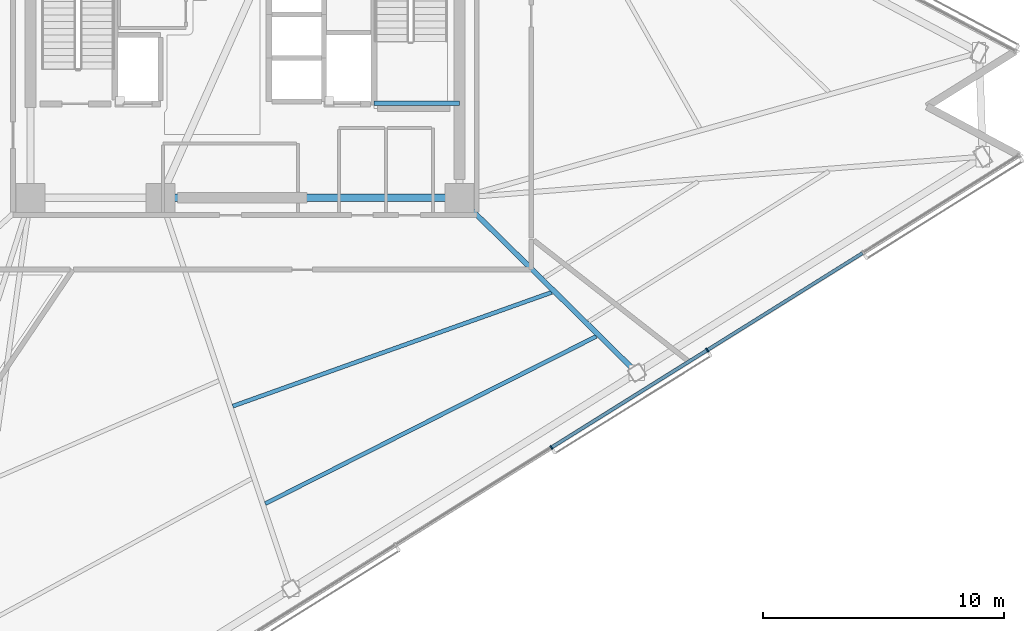
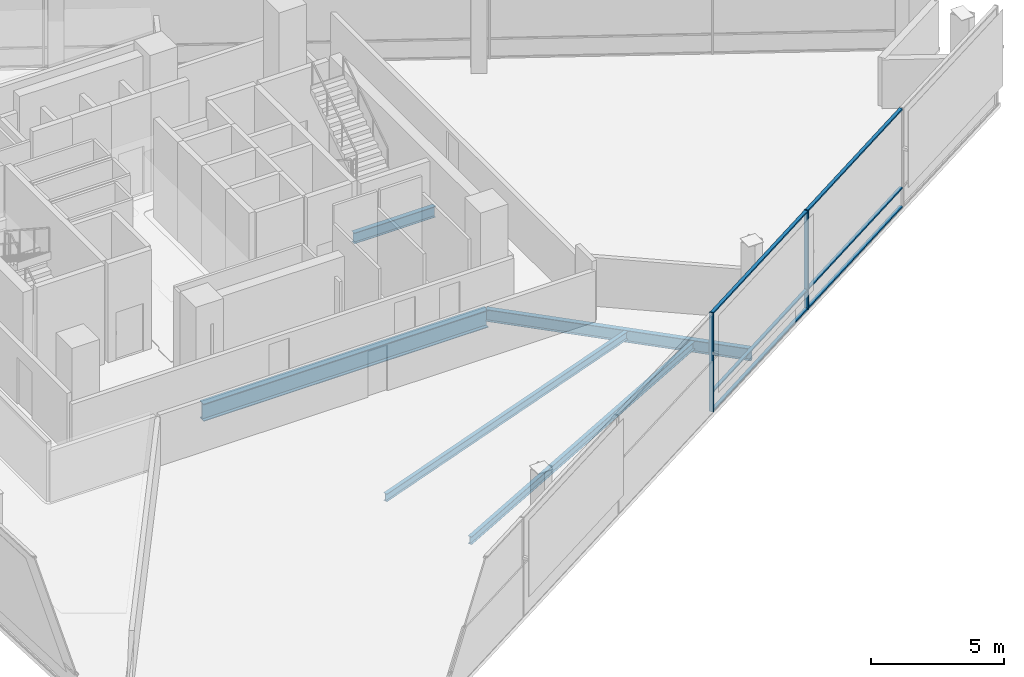
# One storey, part 5 of 19: 8 members, 5 beams, 1 element without a shape of its own.
"""IFC4 building model written with IfcOpenShell, lengths in metres."""

from ifc_helpers import new_model, si_unit, direction, frame, origin, origin_2d, place, context, subcontext, project, spatial, rectangle, i_section, extrude, material, layer, layer_set, material_profile, profile_set, type_object, element, aggregate, save


model = new_model("IFC4")

# Units and contexts
model_context = context("Model", 3, precision=1e-05, world=origin(), true_north=direction((0.0, 1.0)))
body_context = subcontext(model_context, "Body", "Model", "MODEL_VIEW")
ifc_project = project(units=[si_unit("LENGTHUNIT", "METRE"), si_unit("AREAUNIT", "SQUARE_METRE"), si_unit("VOLUMEUNIT", "CUBIC_METRE"), si_unit("PLANEANGLEUNIT", "RADIAN"), si_unit("MASSUNIT", "GRAM", prefix="KILO")], contexts=[model_context])

# Site, building, storey
site_placement = place(None, origin())
site = spatial("IfcSite", under=ifc_project, at=site_placement, CompositionType="ELEMENT")
building_placement = place(site_placement, origin())
building = spatial("IfcBuilding", under=site, at=building_placement, Name="Tharavind Bronze Gate", CompositionType="ELEMENT")
storey_placement = place(building_placement, frame((0.0, 0.0, 160.39990234375)))
storey = spatial("IfcBuildingStorey", under=building, at=storey_placement, Name="L41", CompositionType="ELEMENT", Elevation=160.39990234375)

# Curtain wall, members
ifc_material_1 = material(Name="Anodised Bronze Aluminium", Category="aluminium")
ifc_layer = layer(ifc_material_1, 0.219970703125)
ifc_layer_set = layer_set([ifc_layer], Name="Anodised Bronze Aluminium")
curtain_wall_type = type_object("IfcCurtainWallType", Name="UNITISED CURTAIN WALL MID OFFICE", PredefinedType="USERDEFINED", material=ifc_layer_set)
curtain_wall_placement = place(storey_placement, origin())
curtain_wall = element("IfcCurtainWall", 1, at=curtain_wall_placement, inside=storey, type_object=curtain_wall_type, Name="L41 unitised curtain wall mid office CW-L41-S2", ObjectType="UNITISED CURTAIN WALL", PredefinedType="USERDEFINED")
member_type_1 = type_object("IfcMemberType", Name="CURTAIN WALL BRONZE MULLION 65X180", PredefinedType="MULLION", material=ifc_material_1)
member_1_placement = place(storey_placement, frame((12.71826171875, -17.960205078125, 0.0), z_axis=(0.0, 0.0, 1.0), x_axis=(0.848048096156, 0.529919264233, 0.0)))
member_1 = element("IfcMember", 2, at=member_1_placement, type_object=member_type_1, Name="CW-L41-S2 mullion 5", PredefinedType="MULLION", context=body_context, shape_type="SweptSolid", body=[
    extrude(rectangle(XDim=0.06494140625, YDim=0.179931640625, at=origin_2d()), origin(), (0.0, 0.0, 1.0), 4.554931640625),
])
member_2_placement = place(storey_placement, frame((19.18359375, -13.919921875, 0.0), z_axis=(0.0, 0.0, 1.0), x_axis=(0.848048096156, 0.529919264233, 0.0)))
member_2 = element("IfcMember", 3, at=member_2_placement, type_object=member_type_1, Name="CW-L41-S2 mullion 6", PredefinedType="MULLION", context=body_context, shape_type="SweptSolid", body=[
    extrude(rectangle(XDim=0.06494140625, YDim=0.179931640625, at=origin_2d()), origin(), (0.0, 0.0, 1.0), 4.554931640625),
])
member_type_2 = type_object("IfcMemberType", Name="CURTAIN WALL BRONZE TRANSOM 65X140", PredefinedType="USERDEFINED", material=ifc_material_1)
member_3_placement = place(storey_placement, frame((15.950927734375, -15.93994140625, 0.000244140625), z_axis=(0.0, 0.0, 1.0), x_axis=(0.848048096156, 0.529919264233, 0.0)))
member_3 = element("IfcMember", 4, at=member_3_placement, type_object=member_type_2, Name="CW-L41-S2 transom TB5", ObjectType="TRANSOM", PredefinedType="USERDEFINED", context=body_context, shape_type="SweptSolid", body=[
    extrude(rectangle(XDim=7.57080078125, YDim=0.139892578125, at=origin_2d()), origin(), (0.0, 0.0, 1.0), 0.06494140625),
])
member_4_placement = place(storey_placement, frame((15.950927734375, -15.93994140625, 0.86767578125), z_axis=(0.0, 0.0, 1.0), x_axis=(0.848048096156, 0.529919264233, 0.0)))
member_4 = element("IfcMember", 5, at=member_4_placement, type_object=member_type_2, Name="CW-L41-S2 transom TS5", ObjectType="TRANSOM", PredefinedType="USERDEFINED", context=body_context, shape_type="SweptSolid", body=[
    extrude(rectangle(XDim=7.57080078125, YDim=0.139892578125, at=origin_2d()), origin(), (0.0, 0.0, 1.0), 0.06494140625),
])
member_5_placement = place(storey_placement, frame((15.950927734375, -15.93994140625, 4.490234375), z_axis=(0.0, 0.0, 1.0), x_axis=(0.848048096156, 0.529919264233, 0.0)))
member_5 = element("IfcMember", 6, at=member_5_placement, type_object=member_type_2, Name="CW-L41-S2 transom TT5", ObjectType="TRANSOM", PredefinedType="USERDEFINED", context=body_context, shape_type="SweptSolid", body=[
    extrude(rectangle(XDim=7.57080078125, YDim=0.139892578125, at=origin_2d()), origin(), (0.0, 0.0, 1.0), 0.06494140625),
])
member_6_placement = place(storey_placement, frame((22.41650390625, -11.89990234375, 0.000244140625), z_axis=(0.0, 0.0, 1.0), x_axis=(0.848048096156, 0.529919264233, 0.0)))
member_6 = element("IfcMember", 7, at=member_6_placement, type_object=member_type_2, Name="CW-L41-S2 transom TB6", ObjectType="TRANSOM", PredefinedType="USERDEFINED", context=body_context, shape_type="SweptSolid", body=[
    extrude(rectangle(XDim=7.57080078125, YDim=0.139892578125, at=origin_2d()), origin(), (0.0, 0.0, 1.0), 0.06494140625),
])
member_7_placement = place(storey_placement, frame((22.41650390625, -11.89990234375, 0.86767578125), z_axis=(0.0, 0.0, 1.0), x_axis=(0.848048096156, 0.529919264233, 0.0)))
member_7 = element("IfcMember", 8, at=member_7_placement, type_object=member_type_2, Name="CW-L41-S2 transom TS6", ObjectType="TRANSOM", PredefinedType="USERDEFINED", context=body_context, shape_type="SweptSolid", body=[
    extrude(rectangle(XDim=7.57080078125, YDim=0.139892578125, at=origin_2d()), origin(), (0.0, 0.0, 1.0), 0.06494140625),
])
member_8_placement = place(storey_placement, frame((22.41650390625, -11.89990234375, 4.490234375), z_axis=(0.0, 0.0, 1.0), x_axis=(0.848048096156, 0.529919264233, 0.0)))
member_8 = element("IfcMember", 9, at=member_8_placement, type_object=member_type_2, Name="CW-L41-S2 transom TT6", ObjectType="TRANSOM", PredefinedType="USERDEFINED", context=body_context, shape_type="SweptSolid", body=[
    extrude(rectangle(XDim=7.57080078125, YDim=0.139892578125, at=origin_2d()), origin(), (0.0, 0.0, 1.0), 0.06494140625),
])
aggregate(curtain_wall, [member_1, member_2, member_3, member_4, member_5, member_6, member_7, member_8])

# Beams
ifc_material_2 = material(Name="Steel S355", Category="steel")
ifc_material_profile_1 = material_profile(ifc_material_2, i_section(OverallWidth=0.199951171875, OverallDepth=0.5, WebThickness=0.01025390625, FlangeThickness=0.01611328125, at=origin_2d()), Name="IPE500")
ifc_profile_set_1 = profile_set([ifc_material_profile_1], Name="Steel S355")
beam_type_1 = type_object("IfcBeamType", Name="PRIMARY GIRDER IPE500", PredefinedType="USERDEFINED", material=ifc_profile_set_1)
beam_1_placement = place(storey_placement, frame((5.35009765625, -3.679931640625, 1.925048828125), z_axis=(1.0, 0.0, 0.0), x_axis=(0.0, 1.0, 0.0)))
element("IfcBeam", 10, at=beam_1_placement, inside=storey, type_object=beam_type_1, Name="L41 primary girder ipe500 BM-LD-ST2-L41-1", ObjectType="GIRDER", PredefinedType="USERDEFINED", context=body_context, shape_type="SweptSolid", body=[
    extrude(i_section(OverallWidth=0.199951171875, OverallDepth=0.5, WebThickness=0.01025390625, FlangeThickness=0.01611328125, at=origin_2d()), origin(), (0.0, 0.0, 1.0), 3.5498046875),
])
ifc_material_profile_2 = material_profile(ifc_material_2, i_section(OverallWidth=0.2099609375, OverallDepth=0.550048828125, WebThickness=0.010986328125, FlangeThickness=0.01708984375, at=origin_2d()), Name="IPE550")
ifc_profile_set_2 = profile_set([ifc_material_profile_2], Name="Steel S355")
beam_type_2 = type_object("IfcBeamType", Name="PRIMARY GIRDER IPE550", PredefinedType="USERDEFINED", material=ifc_profile_set_2)
beam_2_placement = place(storey_placement, frame((16.263916015625, -14.860107421875, -0.46484375), z_axis=(-0.712117612056, 0.702060187306, 0.0), x_axis=(-0.702060187306, -0.712117612056, 0.0)))
element("IfcBeam", 11, at=beam_2_placement, inside=storey, type_object=beam_type_2, Name="L41 primary girder ipe550 BM-L41-RAD07", ObjectType="GIRDER", PredefinedType="USERDEFINED", context=body_context, shape_type="SweptSolid", body=[
    extrude(i_section(OverallWidth=0.2099609375, OverallDepth=0.550048828125, WebThickness=0.010986328125, FlangeThickness=0.01708984375, at=origin_2d()), origin(), (0.0, 0.0, 1.0), 10.341064453125),
])
ifc_material_profile_3 = material_profile(ifc_material_2, i_section(OverallWidth=0.300048828125, OverallDepth=0.800048828125, WebThickness=0.017578125, FlangeThickness=0.032958984375, at=origin_2d()), Name="HE800B")
ifc_profile_set_3 = profile_set([ifc_material_profile_3], Name="Steel S355")
beam_type_3 = type_object("IfcBeamType", Name="RING GIRDER HE800B", PredefinedType="USERDEFINED", material=ifc_profile_set_3)
beam_3_placement = place(storey_placement, frame((-3.5, -7.60009765625, -0.58984375), z_axis=(1.0, 0.0, 0.0), x_axis=(0.0, 1.0, 0.0)))
element("IfcBeam", 12, at=beam_3_placement, inside=storey, type_object=beam_type_3, Name="L41 ring girder he800b BM-L41-CR2", ObjectType="GIRDER", PredefinedType="USERDEFINED", context=body_context, shape_type="SweptSolid", body=[
    extrude(i_section(OverallWidth=0.300048828125, OverallDepth=0.800048828125, WebThickness=0.017578125, FlangeThickness=0.032958984375, at=origin_2d()), origin(), (0.0, 0.0, 1.0), 12.39990234375),
])
ifc_material_profile_4 = material_profile(ifc_material_2, i_section(OverallWidth=0.169921875, OverallDepth=0.360107421875, WebThickness=0.008056640625, FlangeThickness=0.0126953125, at=origin_2d()), Name="IPE360")
ifc_profile_set_4 = profile_set([ifc_material_profile_4], Name="Steel S355")
beam_type_4 = type_object("IfcBeamType", Name="SECONDARY FLOOR JOIST IPE360", PredefinedType="JOIST", material=ifc_profile_set_4)
beam_4_placement = place(storey_placement, frame((-0.501708984375, -16.245361328125, -0.369873046875), z_axis=(0.941820934354, 0.336115051156, 0.0), x_axis=(-0.336115051156, 0.941820934354, 0.0)))
element("IfcBeam", 13, at=beam_4_placement, inside=storey, type_object=beam_type_4, Name="L41 secondary floor joist ipe360 BM-L41-JSTA06", PredefinedType="JOIST", context=body_context, shape_type="SweptSolid", body=[
    extrude(i_section(OverallWidth=0.169921875, OverallDepth=0.360107421875, WebThickness=0.008056640625, FlangeThickness=0.0126953125, at=origin_2d()), origin(), (0.0, 0.0, 1.0), 14.044921875),
])
beam_5_placement = place(storey_placement, frame((0.846923828125, -20.289306640625, -0.369873046875), z_axis=(0.89252439558, 0.450999116733, 0.0), x_axis=(-0.450999116733, 0.89252439558, 0.0)))
element("IfcBeam", 14, at=beam_5_placement, inside=storey, type_object=beam_type_4, Name="L41 secondary floor joist ipe360 BM-L41-JSTB06", PredefinedType="JOIST", context=body_context, shape_type="SweptSolid", body=[
    extrude(i_section(OverallWidth=0.169921875, OverallDepth=0.360107421875, WebThickness=0.008056640625, FlangeThickness=0.0126953125, at=origin_2d()), origin(), (0.0, 0.0, 1.0), 15.384765625),
])

save(model, "model.ifc")
